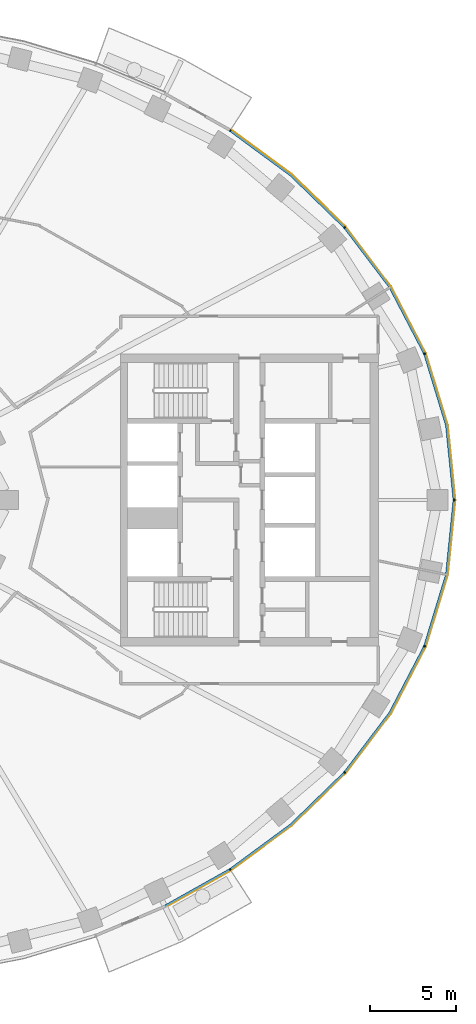
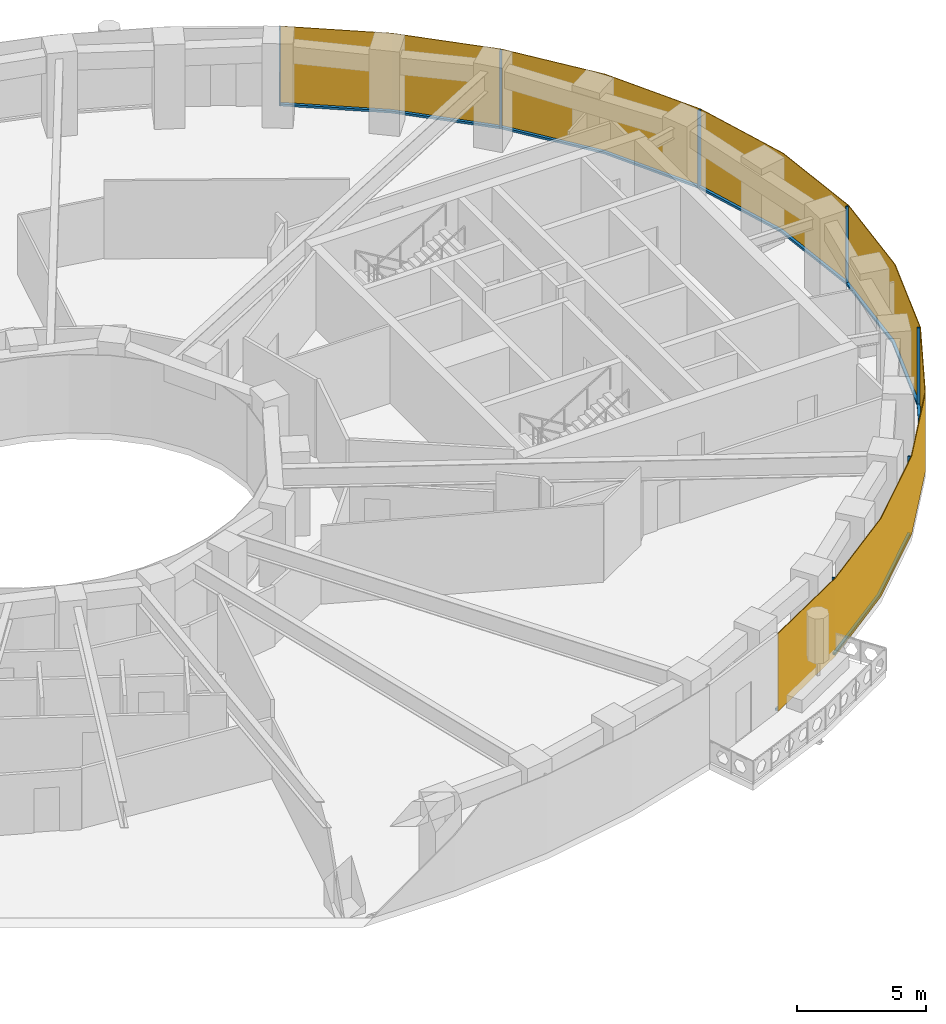
# One storey, part 11 of 15: 14 members, 1 curtain wall.
"""IFC4 building model written with IfcOpenShell, lengths in metres."""

import ifcopenshell
import ifcopenshell.guid

model = None  # the IFC model being written
_history = None  # IfcOwnerHistory: only IFC2X3 demands one
_inside = {}  # id of a spatial element -> (the spatial element, [elements in it])
_under = {}  # id of a project, library or spatial element -> (it, [spatial elements below it])
_declared = {}  # id of a project -> (the project, [libraries it declares])
_typed = {}  # id of a type object -> (the type object, [elements of that type])
_made_of = {}  # id of a material, layer set ... -> (it, [elements and type objects made of it])


def new_model(schema):
    """Start an empty IFC model of exactly this schema.

    Asked for "IFC4X3", IfcOpenShell would pick the latest addendum, in which some entities
    have other attributes; the version numbers below select the first issue.
    IFC2X3 requires an IfcOwnerHistory on every rooted entity: one is made here for all.
    """
    global model, _history
    if schema == "IFC4X3":
        model = ifcopenshell.file(schema_version=(4, 3, 0, 0))
    else:
        model = ifcopenshell.file(schema=schema)
    _inside.clear()
    _under.clear()
    _declared.clear()
    _typed.clear()
    _made_of.clear()
    _history = None
    if model.schema == "IFC2X3":
        org = make("IfcOrganization", Name="unknown")
        user = make(
            "IfcPersonAndOrganization",
            ThePerson=make("IfcPerson", FamilyName="unknown"),
            TheOrganization=org,
        )
        app = make(
            "IfcApplication",
            ApplicationDeveloper=org,
            Version="unknown",
            ApplicationFullName="unknown",
            ApplicationIdentifier="unknown",
        )
        _history = make(
            "IfcOwnerHistory",
            OwningUser=user,
            OwningApplication=app,
            ChangeAction="ADDED",
            CreationDate=0,
        )
    return model


def make(cls, **values):
    """One entity of the class cls with the attributes given. An attribute that is None is left unset."""
    return model.create_entity(
        cls, **{name: value for name, value in values.items() if value is not None}
    )


def rooted(cls, **values):
    """An entity with a GlobalId (a new one), such as an element, a storey or a relation."""
    return make(cls, GlobalId=ifcopenshell.guid.new(), OwnerHistory=_history, **values)


def si_unit(unit_type, name, prefix=None):
    """IfcSIUnit, for example si_unit("LENGTHUNIT", "METRE", prefix="MILLI")."""
    return make("IfcSIUnit", UnitType=unit_type, Prefix=prefix, Name=name)


def assignment(units):
    """IfcUnitAssignment: the units of a project."""
    return None if units is None else make("IfcUnitAssignment", Units=units)


def point(xyz):
    """IfcCartesianPoint."""
    return None if xyz is None else make("IfcCartesianPoint", Coordinates=xyz)


def direction(xyz):
    """IfcDirection."""
    return None if xyz is None else make("IfcDirection", DirectionRatios=xyz)


def frame(location, z_axis=None, x_axis=None):
    """IfcAxis2Placement3D, a coordinate frame: its origin and axes. An axis left out is left unset."""
    return make(
        "IfcAxis2Placement3D",
        Location=point(location),
        Axis=direction(z_axis),
        RefDirection=direction(x_axis),
    )


def frame_2d(location, x_axis=None):
    """IfcAxis2Placement2D, a coordinate frame in the plane: its origin and x axis."""
    return make(
        "IfcAxis2Placement2D", Location=point(location), RefDirection=direction(x_axis)
    )


def origin():
    """The frame at (0, 0, 0) with its axes left unset."""
    return frame((0.0, 0.0, 0.0))


def origin_2d():
    """The frame at (0, 0) in the plane with its x axis left unset."""
    return frame_2d((0.0, 0.0))


def place(relative_to, where):
    """IfcLocalPlacement: puts the frame where relative to a parent placement (None: the world)."""
    return make(
        "IfcLocalPlacement", PlacementRelTo=relative_to, RelativePlacement=where
    )


def context(
    kind, dimensions, precision=None, world=None, true_north=None, identifier=None
):
    """IfcGeometricRepresentationContext, for example the 3D "Model" context."""
    return make(
        "IfcGeometricRepresentationContext",
        ContextIdentifier=identifier,
        ContextType=kind,
        CoordinateSpaceDimension=dimensions,
        Precision=precision,
        WorldCoordinateSystem=world,
        TrueNorth=true_north,
    )


def subcontext(parent, identifier, kind, view, scale=None):
    """IfcGeometricRepresentationSubContext, for example "Body" below "Model"."""
    return make(
        "IfcGeometricRepresentationSubContext",
        ContextIdentifier=identifier,
        ContextType=kind,
        ParentContext=parent,
        TargetScale=scale,
        TargetView=view,
    )


def project(units=None, contexts=None):
    """IfcProject with its units and contexts."""
    return rooted(
        "IfcProject",
        Name="project",
        RepresentationContexts=contexts,
        UnitsInContext=assignment(units),
    )


def spatial(cls, under=None, at=None, **own):
    """A site, building, storey or space (cls), placed at a placement, below another one or the project."""
    s = rooted(cls, ObjectPlacement=at, **own)
    if under is not None:
        _under.setdefault(under.id(), (under, []))[1].append(s)
    return s


def polyline(points):
    """IfcPolyline through the points."""
    return make("IfcPolyline", Points=[point(p) for p in points])


def profile(cls, at=None, kind="AREA", **sizes):
    """A parametric profile (cls). Its sizes go by their IFC names, for example OverallWidth=200.0."""
    return make(cls, ProfileType=kind, Position=at, **sizes)


def rectangle(**sizes):
    """IfcRectangleProfileDef."""
    return profile("IfcRectangleProfileDef", **sizes)


def outline(outer, holes=None, kind="AREA"):
    """IfcArbitraryClosedProfileDef: a profile drawn as a closed curve; with holes, ...WithVoids."""
    if holes is None:
        return make("IfcArbitraryClosedProfileDef", ProfileType=kind, OuterCurve=outer)
    return make(
        "IfcArbitraryProfileDefWithVoids",
        ProfileType=kind,
        OuterCurve=outer,
        InnerCurves=holes,
    )


def extrude(swept, where, along, depth):
    """IfcExtrudedAreaSolid: the profile swept, set in the frame where, extruded along a direction by depth."""
    return make(
        "IfcExtrudedAreaSolid",
        SweptArea=swept,
        Position=where,
        ExtrudedDirection=direction(along),
        Depth=depth,
    )


def shape(context_of_items, identifier, shape_type, items):
    """IfcShapeRepresentation: the items that make up one representation, for example the "Body"."""
    return make(
        "IfcShapeRepresentation",
        ContextOfItems=context_of_items,
        RepresentationIdentifier=identifier,
        RepresentationType=shape_type,
        Items=items,
    )


def material(Name=None, Category=None):
    """IfcMaterial."""
    return make("IfcMaterial", Name=Name, Category=Category)


def layer(
    of_material, thickness, ventilated=None, Name=None, Category=None, Priority=None
):
    """IfcMaterialLayer: one layer of a wall or slab, of a material (None: an air gap)."""
    return make(
        "IfcMaterialLayer",
        Material=of_material,
        LayerThickness=thickness,
        IsVentilated=ventilated,
        Name=Name,
        Category=Category,
        Priority=Priority,
    )


def layer_set(layers, Name=None):
    """IfcMaterialLayerSet."""
    return make("IfcMaterialLayerSet", MaterialLayers=layers, LayerSetName=Name)


def material_profile(
    of_material, cross_section, Name=None, Category=None, Priority=None
):
    """IfcMaterialProfile: a cross section and its material."""
    return make(
        "IfcMaterialProfile",
        Name=Name,
        Material=of_material,
        Profile=cross_section,
        Priority=Priority,
        Category=Category,
    )


def profile_set(profiles, Name=None, composite=None):
    """IfcMaterialProfileSet."""
    return make(
        "IfcMaterialProfileSet",
        Name=Name,
        MaterialProfiles=profiles,
        CompositeProfile=composite,
    )


def made_of(thing, what):
    """Note that an element or type object is made of a material, layer set ...; save() writes the relation."""
    if what is not None:
        _made_of.setdefault(what.id(), (what, []))[1].append(thing)
    return thing


def type_object(cls, material=None, **own):
    """A type object (cls), such as IfcWallType, which elements share."""
    return made_of(rooted(cls, **own), material)


def element(
    cls,
    number,
    at=None,
    inside=None,
    cuts=None,
    type_object=None,
    material=None,
    context=None,
    identifier="Body",
    shape_type=None,
    held_by="IfcProductDefinitionShape",
    body=None,
    shapes=None,
    **own,
):
    """One element of the class cls, such as IfcWall. Its Tag is "e" and its number.

    at: its placement. inside: the storey or other place that contains it. cuts: it is an
    opening in that element (IfcRelVoidsElement). A single representation is given by context,
    identifier, shape_type and body (its items); several are given by shapes. held_by: the class
    of the entity that holds the representations. save() writes the other relations.
    """
    e = rooted(cls, Tag="e%d" % number, ObjectPlacement=at, **own)
    if body is not None:
        shapes = [shape(context, identifier, shape_type, body)]
    if shapes is not None:
        e.Representation = make(held_by, Representations=shapes)
    if inside is not None:
        _inside.setdefault(inside.id(), (inside, []))[1].append(e)
    if cuts is not None:
        rooted(
            "IfcRelVoidsElement", RelatingBuildingElement=cuts, RelatedOpeningElement=e
        )
    if type_object is not None:
        _typed.setdefault(type_object.id(), (type_object, []))[1].append(e)
    return made_of(e, material)


def aggregate(whole, parts):
    """IfcRelAggregates: a whole, such as a stair, and the parts it consists of."""
    return rooted("IfcRelAggregates", RelatingObject=whole, RelatedObjects=parts)


def save(model, path):
    """Write the relations noted so far, then the file.

    IfcRelAggregates (storeys below a building ...), IfcRelContainedInSpatialStructure (elements
    in a storey), IfcRelDefinesByType, IfcRelAssociatesMaterial and IfcRelDeclares: one each for
    every whole, place, type object, material and project.
    """
    for whole, parts in _under.values():
        aggregate(whole, parts)
    for where, things in _inside.values():
        rooted(
            "IfcRelContainedInSpatialStructure",
            RelatedElements=things,
            RelatingStructure=where,
        )
    for kind, things in _typed.values():
        rooted("IfcRelDefinesByType", RelatedObjects=things, RelatingType=kind)
    for what, things in _made_of.values():
        rooted("IfcRelAssociatesMaterial", RelatedObjects=things, RelatingMaterial=what)
    for by, libraries in _declared.values():
        rooted("IfcRelDeclares", RelatingContext=by, RelatedDefinitions=libraries)
    model.write(path)


model = new_model("IFC4")

# Units and contexts
model_context = context("Model", 3, precision=1e-05, world=origin(), true_north=direction((0.0, 1.0)))
body_context = subcontext(model_context, "Body", "Model", "MODEL_VIEW")
ifc_project = project(units=[si_unit("LENGTHUNIT", "METRE"), si_unit("AREAUNIT", "SQUARE_METRE"), si_unit("VOLUMEUNIT", "CUBIC_METRE"), si_unit("PLANEANGLEUNIT", "RADIAN"), si_unit("MASSUNIT", "GRAM", prefix="KILO")], contexts=[model_context])

# Member
ifc_material_1 = material(Name="Aluminium 6063-T6 black anodised", Category="aluminium")
ifc_material_profile = material_profile(ifc_material_1, rectangle(XDim=0.1201171875, YDim=0.06005859375, at=origin_2d()), Name="120x60")
ifc_profile_set = profile_set([ifc_material_profile], Name="Aluminium 6063-T6 black anodised")
member_type_1 = type_object("IfcMemberType", Name="ENV-MULLION-A-120", PredefinedType="MULLION", material=ifc_profile_set)
site_placement = place(None, origin())
building_placement = place(site_placement, origin())
storey_placement = place(building_placement, frame((0.0, 0.0, 170.0)))
member_1_placement = place(storey_placement, frame((22.882568359375, -21.506591796875, 0.0), z_axis=(0.0, 0.0, 1.0), x_axis=(-0.542279153225, 0.840198381323, 0.0)))
member_1 = element("IfcMember", 1, at=member_1_placement, type_object=member_type_1, Name="Mullion A radial 41", PredefinedType="MULLION", context=body_context, shape_type="SweptSolid", body=[
    extrude(rectangle(XDim=0.1201171875, YDim=0.06005859375, at=origin_2d()), origin(), (0.0, 0.0, 1.0), 3.699951171875),
])

member_2_placement = place(storey_placement, frame((29.53857421875, -15.8671875, 0.0), z_axis=(0.0, 0.0, 1.0), x_axis=(-0.749047221705, 0.662516610853, 0.0)))
member_2 = element("IfcMember", 2, at=member_2_placement, type_object=member_type_1, Name="Mullion A radial 43", PredefinedType="MULLION", context=body_context, shape_type="SweptSolid", body=[
    extrude(rectangle(XDim=0.1201171875, YDim=0.06005859375, at=origin_2d()), origin(), (0.0, 0.0, 1.0), 3.699951171875),
])

member_3_placement = place(storey_placement, frame((34.19580078125, -8.513916015625, 0.0), z_axis=(0.0, 0.0, 1.0), x_axis=(-0.92546738067, 0.378827305398, 0.0)))
member_3 = element("IfcMember", 3, at=member_3_placement, type_object=member_type_1, Name="Mullion A radial 45", PredefinedType="MULLION", context=body_context, shape_type="SweptSolid", body=[
    extrude(rectangle(XDim=0.1201171875, YDim=0.06005859375, at=origin_2d()), origin(), (0.0, 0.0, 1.0), 3.699951171875),
])

member_4_placement = place(storey_placement, frame((35.907958984375, 0.0, 0.0), z_axis=(0.0, 0.0, 1.0), x_axis=(-1.0, 0.0, 0.0)))
member_4 = element("IfcMember", 4, at=member_4_placement, type_object=member_type_1, Name="Mullion A radial 01", PredefinedType="MULLION", context=body_context, shape_type="SweptSolid", body=[
    extrude(rectangle(XDim=0.1201171875, YDim=0.06005859375, at=origin_2d()), origin(), (0.0, 0.0, 1.0), 3.699951171875),
])

member_5_placement = place(storey_placement, frame((34.19580078125, 8.513916015625, 0.0), z_axis=(0.0, 0.0, 1.0), x_axis=(-0.92546738067, -0.378827305398, 0.0)))
member_5 = element("IfcMember", 5, at=member_5_placement, type_object=member_type_1, Name="Mullion A radial 03", PredefinedType="MULLION", context=body_context, shape_type="SweptSolid", body=[
    extrude(rectangle(XDim=0.1201171875, YDim=0.06005859375, at=origin_2d()), origin(), (0.0, 0.0, 1.0), 3.699951171875),
])

member_6_placement = place(storey_placement, frame((29.53857421875, 15.8671875, 0.0), z_axis=(0.0, 0.0, 1.0), x_axis=(-0.749047221705, -0.662516610853, 0.0)))
member_6 = element("IfcMember", 6, at=member_6_placement, type_object=member_type_1, Name="Mullion A radial 05", PredefinedType="MULLION", context=body_context, shape_type="SweptSolid", body=[
    extrude(rectangle(XDim=0.1201171875, YDim=0.06005859375, at=origin_2d()), origin(), (0.0, 0.0, 1.0), 3.699951171875),
])

member_7_placement = place(storey_placement, frame((22.882568359375, 21.506591796875, 0.0), z_axis=(0.0, 0.0, 1.0), x_axis=(-0.542279153225, -0.840198381323, 0.0)))
member_7 = element("IfcMember", 7, at=member_7_placement, type_object=member_type_1, Name="Mullion A radial 07", PredefinedType="MULLION", context=body_context, shape_type="SweptSolid", body=[
    extrude(rectangle(XDim=0.1201171875, YDim=0.06005859375, at=origin_2d()), origin(), (0.0, 0.0, 1.0), 3.699951171875),
])

ifc_material_2 = material(Name="Aluminium 6063-T6 black anodised", Category="aluminium")
member_type_2 = type_object("IfcMemberType", Name="ENV-TRANSOM-A", PredefinedType="USERDEFINED", material=ifc_material_2)
member_8_placement = place(storey_placement, origin())
member_8 = element("IfcMember", 8, at=member_8_placement, type_object=member_type_2, Name="Transom A radial 40-41", ObjectType="TRANSOM", PredefinedType="USERDEFINED", context=body_context, shape_type="SweptSolid", body=[
    extrude(outline(polyline([(19.111572265625, -23.691650390625), (22.890625, -21.570556640625), (22.825439453125, -21.469482421875), (19.058837890625, -23.58349609375), (19.111572265625, -23.691650390625)])), origin(), (0.0, 0.0, 1.0), 0.10009765625),
])

member_9_placement = place(storey_placement, origin())
member_9 = element("IfcMember", 9, at=member_9_placement, type_object=member_type_2, Name="Transom A radial 41-43", ObjectType="TRANSOM", PredefinedType="USERDEFINED", context=body_context, shape_type="SweptSolid", body=[
    extrude(outline(polyline([(22.937744140625, -21.540283203125), (26.4423828125, -18.958740234375), (29.5634765625, -15.926513671875), (29.473388671875, -15.8466796875), (26.364501953125, -18.866943359375), (22.87255859375, -21.439208984375), (22.937744140625, -21.540283203125)])), origin(), (0.0, 0.0, 1.0), 0.10009765625),
])

member_10_placement = place(storey_placement, origin())
member_10 = element("IfcMember", 10, at=member_10_placement, type_object=member_type_2, Name="Transom A radial 43-45", ObjectType="TRANSOM", PredefinedType="USERDEFINED", context=body_context, shape_type="SweptSolid", body=[
    extrude(outline(polyline([(29.6005859375, -15.884521484375), (32.22802734375, -12.41748046875), (34.23828125, -8.5615234375), (34.126708984375, -8.515869140625), (32.126220703125, -12.35302734375), (29.51025390625, -15.8046875), (29.6005859375, -15.884521484375)])), origin(), (0.0, 0.0, 1.0), 0.10009765625),
])

member_11_placement = place(storey_placement, origin())
member_11 = element("IfcMember", 11, at=member_11_placement, type_object=member_type_2, Name="Transom A radial 45-01", ObjectType="TRANSOM", PredefinedType="USERDEFINED", context=body_context, shape_type="SweptSolid", body=[
    extrude(outline(polyline([(34.259521484375, -8.509765625), (35.529541015625, -4.352294921875), (35.965087890625, -0.02783203125), (35.844482421875, -0.02783203125), (35.411376953125, -4.32861328125), (34.14794921875, -8.464111328125), (34.259521484375, -8.509765625)])), origin(), (0.0, 0.0, 1.0), 0.10009765625),
])

member_12_placement = place(storey_placement, origin())
member_12 = element("IfcMember", 12, at=member_12_placement, type_object=member_type_2, Name="Transom A radial 01-03", ObjectType="TRANSOM", PredefinedType="USERDEFINED", context=body_context, shape_type="SweptSolid", body=[
    extrude(outline(polyline([(35.965087890625, 0.02783203125), (35.529541015625, 4.352294921875), (34.259521484375, 8.509765625), (34.14794921875, 8.464111328125), (35.411376953125, 4.32861328125), (35.844482421875, 0.02783203125), (35.965087890625, 0.02783203125)])), origin(), (0.0, 0.0, 1.0), 0.10009765625),
])

member_13_placement = place(storey_placement, origin())
member_13 = element("IfcMember", 13, at=member_13_placement, type_object=member_type_2, Name="Transom A radial 03-05", ObjectType="TRANSOM", PredefinedType="USERDEFINED", context=body_context, shape_type="SweptSolid", body=[
    extrude(outline(polyline([(34.23828125, 8.5615234375), (32.22802734375, 12.41748046875), (29.6005859375, 15.884521484375), (29.51025390625, 15.8046875), (32.126220703125, 12.35302734375), (34.126708984375, 8.515869140625), (34.23828125, 8.5615234375)])), origin(), (0.0, 0.0, 1.0), 0.10009765625),
])

member_14_placement = place(storey_placement, origin())
member_14 = element("IfcMember", 14, at=member_14_placement, type_object=member_type_2, Name="Transom A radial 05-07", ObjectType="TRANSOM", PredefinedType="USERDEFINED", context=body_context, shape_type="SweptSolid", body=[
    extrude(outline(polyline([(29.5634765625, 15.926513671875), (26.4423828125, 18.958740234375), (22.937744140625, 21.540283203125), (22.87255859375, 21.439208984375), (26.364501953125, 18.866943359375), (29.473388671875, 15.8466796875), (29.5634765625, 15.926513671875)])), origin(), (0.0, 0.0, 1.0), 0.10009765625),
])

# Site, building, storey
site = spatial("IfcSite", under=ifc_project, at=site_placement, CompositionType="ELEMENT")
building = spatial("IfcBuilding", under=site, at=building_placement, Name="Noorbagh Ring Tower", CompositionType="ELEMENT")
storey = spatial("IfcBuildingStorey", under=building, at=storey_placement, Name="L39", CompositionType="ELEMENT", Elevation=170.0)

# Curtain wall
ifc_material_3 = material(Name="Glass dark tinted laminated", Category="glass")
ifc_layer = layer(ifc_material_3, 0.031982421875)
ifc_layer_set = layer_set([ifc_layer], Name="Glass dark tinted laminated")
curtain_wall_type = type_object("IfcCurtainWallType", Name="ENV-CW-A", PredefinedType="NOTDEFINED", material=ifc_layer_set)
curtain_wall_placement = place(storey_placement, origin())
curtain_wall = element("IfcCurtainWall", 15, at=curtain_wall_placement, inside=storey, type_object=curtain_wall_type, Name="Curtain wall A R40", PredefinedType="NOTDEFINED", context=body_context, shape_type="SweptSolid", body=[
    extrude(outline(polyline([(19.125732421875, -23.720458984375), (22.9326171875, -21.583740234375), (26.463134765625, -18.9833984375), (29.607666015625, -15.927978515625), (32.255126953125, -12.434814453125), (34.281005859375, -8.548828125), (35.561279296875, -4.358642578125), (36.0, 0.0), (35.561279296875, 4.358642578125), (34.281005859375, 8.548828125), (32.255126953125, 12.434814453125), (29.607666015625, 15.927978515625), (26.463134765625, 18.9833984375), (22.948486328125, 21.572021484375), (22.931396484375, 21.544921875), (26.4423828125, 18.958740234375), (29.58349609375, 15.906982421875), (32.22802734375, 12.41748046875), (34.251220703125, 8.53662109375), (35.529541015625, 4.352294921875), (35.9677734375, 0.0), (35.529541015625, -4.352294921875), (34.251220703125, -8.53662109375), (32.22802734375, -12.41748046875), (29.58349609375, -15.906982421875), (26.4423828125, -18.958740234375), (22.9150390625, -21.556884765625), (19.111572265625, -23.691650390625), (19.125732421875, -23.720458984375)])), origin(), (0.0, 0.0, 1.0), 3.699951171875),
])

aggregate(curtain_wall, [member_1, member_2, member_3, member_4, member_5, member_6, member_7, member_8, member_9, member_10, member_11, member_12, member_13, member_14])

save(model, "model.ifc")
